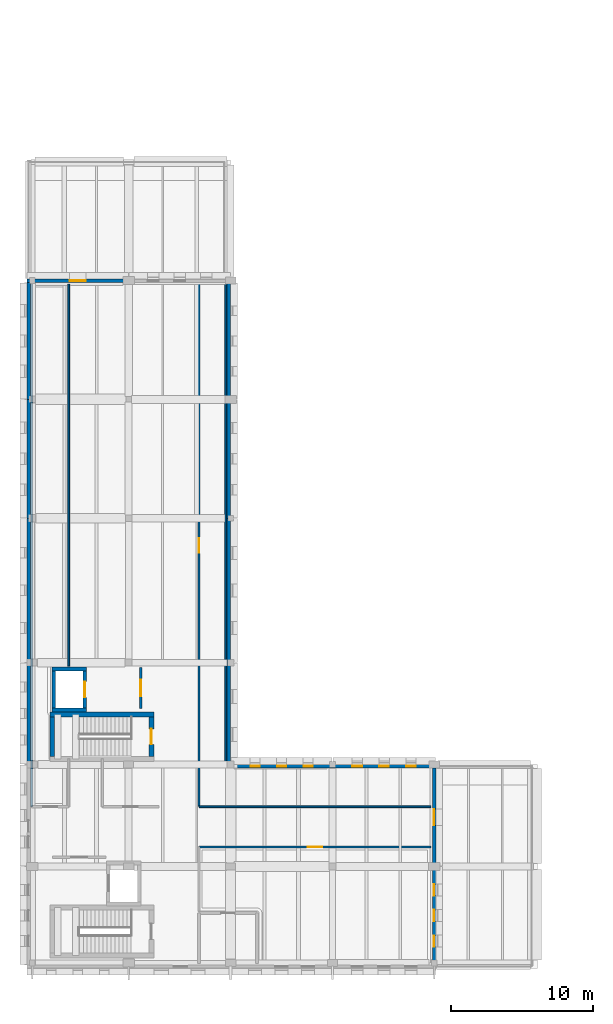
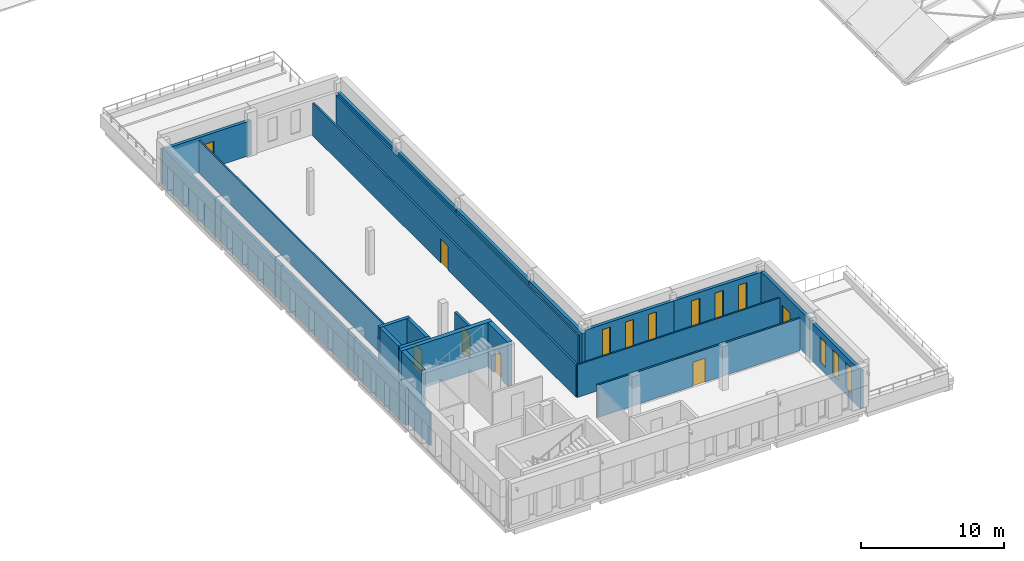
# One storey, part 10 of 15: 27 walls, 9 windows, 7 doors, 16 openings.
"""IFC4 building model written with IfcOpenShell, lengths in metres."""

from ifc_helpers import new_model, si_unit, direction, frame, frame_2d, origin, place, context, subcontext, project, spatial, rectangle, extrude, material, layer, layer_set, type_object, element, fill, save


model = new_model("IFC4")

# Units and contexts
model_context = context("Model", 3, precision=1e-05, world=origin(), true_north=direction((0.0, 1.0)))
body_context = subcontext(model_context, "Body", "Model", "MODEL_VIEW")
ifc_project = project(units=[si_unit("LENGTHUNIT", "METRE"), si_unit("AREAUNIT", "SQUARE_METRE"), si_unit("VOLUMEUNIT", "CUBIC_METRE"), si_unit("PLANEANGLEUNIT", "RADIAN"), si_unit("MASSUNIT", "GRAM", prefix="KILO")], contexts=[model_context])

# Site, building, storey
site_placement = place(None, origin())
site = spatial("IfcSite", under=ifc_project, at=site_placement, CompositionType="ELEMENT")
building_placement = place(site_placement, origin())
building = spatial("IfcBuilding", under=site, at=building_placement, Name="Vardoun Plaza Health Centre", CompositionType="ELEMENT")
storey_placement = place(building_placement, frame((0.0, 0.0, 17.10009765625)))
storey = spatial("IfcBuildingStorey", under=building, at=storey_placement, Name="L04", CompositionType="ELEMENT", Elevation=17.10009765625)

# Walls
ifc_material_1 = material(Name="Concrete C40/50", Category="concrete")
ifc_layer_1 = layer(ifc_material_1, 0.27001953125)
ifc_layer_set_1 = layer_set([ifc_layer_1], Name="Concrete C40/50")
wall_type_1 = type_object("IfcWallType", Name="SW-03", PredefinedType="SHEAR", material=ifc_layer_set_1)
wall_1_placement = place(storey_placement, frame((8.735107421875, 22.75, 0.0), z_axis=(0.0, 0.0, 1.0), x_axis=(-1.0, 0.0, 0.0)))
element("IfcWall", 1, at=wall_1_placement, inside=storey, type_object=wall_type_1, Name="Lift LF-02 L04 Shaft Wall S", PredefinedType="SHEAR", context=body_context, shape_type="SweptSolid", body=[
    extrude(rectangle(XDim=2.47021484375, YDim=0.27001953125, at=frame_2d((1.235107421875, 0.0))), origin(), (0.0, 0.0, 1.0), 3.77001953125),
])
wall_2_placement = place(storey_placement, frame((6.39990234375, 22.885009765625, 0.0), z_axis=(0.0, 0.0, 1.0), x_axis=(0.0, 1.0, 0.0)))
element("IfcWall", 2, at=wall_2_placement, inside=storey, type_object=wall_type_1, Name="Lift LF-02 L04 Shaft Wall W", PredefinedType="SHEAR", context=body_context, shape_type="SweptSolid", body=[
    extrude(rectangle(XDim=2.6298828125, YDim=0.27001953125, at=frame_2d((1.31494140625, 0.0))), origin(), (0.0, 0.0, 1.0), 3.77001953125),
])
wall_3_placement = place(storey_placement, frame((6.264892578125, 25.64990234375, 0.0), z_axis=(0.0, 0.0, 1.0), x_axis=(1.0, 0.0, 0.0)))
element("IfcWall", 3, at=wall_3_placement, inside=storey, type_object=wall_type_1, Name="Lift LF-02 L04 Shaft Wall N", PredefinedType="SHEAR", context=body_context, shape_type="SweptSolid", body=[
    extrude(rectangle(XDim=2.47021484375, YDim=0.27001953125, at=frame_2d((1.235107421875, 0.0))), origin(), (0.0, 0.0, 1.0), 3.77001953125),
])

# Wall, opening, door
wall_4_placement = place(storey_placement, frame((8.60009765625, 25.514892578125, 0.0), z_axis=(0.0, 0.0, 1.0), x_axis=(0.0, -1.0, 0.0)))
wall_4 = element("IfcWall", 4, at=wall_4_placement, inside=storey, type_object=wall_type_1, Name="Lift LF-02 L04 Shaft Wall E", PredefinedType="SHEAR", context=body_context, shape_type="SweptSolid", body=[
    extrude(rectangle(XDim=2.6298828125, YDim=0.27001953125, at=frame_2d((1.31494140625, 0.0))), origin(), (0.0, 0.0, 1.0), 3.77001953125),
])
opening_1_placement = place(wall_4_placement, frame((0.7548828125, 0.0, 0.0)))
opening_1 = element("IfcOpeningElement", 5, at=opening_1_placement, cuts=wall_4, Name="Opening LD-LF-02-L04", PredefinedType="OPENING", context=body_context, shape_type="SweptSolid", body=[
    extrude(rectangle(XDim=1.1201171875, YDim=2.10009765625, at=frame_2d((0.56005859375, 1.050048828125))), frame((0.0, 0.135009765625, 0.0), z_axis=(0.0, -1.0, 0.0), x_axis=(1.0, 0.0, 0.0)), (0.0, 0.0, 1.0), 0.27001953125),
])
ifc_material_2 = material(Name="Brushed Stainless Steel Grade 316L", Category="steel")
door_type_1 = type_object("IfcDoorType", Name="LD-01", OperationType="DOUBLE_DOOR_SLIDING", PredefinedType="DOOR", material=ifc_material_2)
door_1_placement = place(opening_1_placement, origin())
door_1 = element("IfcDoor", 6, at=door_1_placement, inside=storey, type_object=door_type_1, Name="Lift LF-02 L04 Sliding Landing Door", OperationType="DOUBLE_DOOR_SLIDING", OverallHeight=2.10009765625, OverallWidth=1.1201171875, PredefinedType="DOOR", context=body_context, shape_type="SweptSolid", body=[
    extrude(rectangle(XDim=1.1201171875, YDim=2.10009765625, at=frame_2d((0.56005859375, 1.050048828125))), frame((0.0, 0.02490234375, 0.0), z_axis=(0.0, -1.0, 0.0), x_axis=(1.0, 0.0, 0.0)), (0.0, 0.0, 1.0), 0.050048828125),
])
fill(opening_1, door_1)

# Walls
ifc_material_3 = material(Name="Concrete C40/50", Category="concrete")
ifc_layer_2 = layer(ifc_material_3, 0.35009765625)
ifc_layer_set_2 = layer_set([ifc_layer_2], Name="Concrete C40/50")
wall_type_2 = type_object("IfcWallType", Name="SW-02", PredefinedType="SHEAR", material=ifc_layer_set_2)
wall_5_placement = place(storey_placement, frame((6.300048828125, 19.47509765625, 0.0), z_axis=(0.0, 0.0, 1.0), x_axis=(0.0, 1.0, 0.0)))
element("IfcWall", 7, at=wall_5_placement, inside=storey, type_object=wall_type_2, Name="Core C2 L04 Shear Wall W", PredefinedType="SHEAR", context=body_context, shape_type="SweptSolid", body=[
    extrude(rectangle(XDim=2.7998046875, YDim=0.35009765625, at=frame_2d((1.39990234375, 0.0))), origin(), (0.0, 0.0, 1.0), 3.77001953125),
])
wall_6_placement = place(storey_placement, frame((6.125, 22.449951171875, 0.0), z_axis=(0.0, 0.0, 1.0), x_axis=(1.0, 0.0, 0.0)))
element("IfcWall", 8, at=wall_6_placement, inside=storey, type_object=wall_type_2, Name="Core C2 L04 Shear Wall N", PredefinedType="SHEAR", context=body_context, shape_type="SweptSolid", body=[
    extrude(rectangle(XDim=7.35009765625, YDim=0.35009765625, at=frame_2d((3.675048828125, 0.0))), origin(), (0.0, 0.0, 1.0), 3.77001953125),
])

# Wall, opening, door
wall_7_placement = place(storey_placement, frame((13.300048828125, 22.27490234375, 0.0), z_axis=(0.0, 0.0, 1.0), x_axis=(0.0, -1.0, 0.0)))
wall_7 = element("IfcWall", 9, at=wall_7_placement, inside=storey, type_object=wall_type_2, Name="Core C2 L04 Shear Wall E", PredefinedType="SHEAR", context=body_context, shape_type="SweptSolid", body=[
    extrude(rectangle(XDim=2.7998046875, YDim=0.35009765625, at=frame_2d((1.39990234375, 0.0))), origin(), (0.0, 0.0, 1.0), 3.77001953125),
])
opening_2_placement = place(wall_7_placement, frame((0.85009765625, 0.0, 0.0)))
opening_2 = element("IfcOpeningElement", 10, at=opening_2_placement, cuts=wall_7, Name="Opening SD-C2-L04", PredefinedType="OPENING", context=body_context, shape_type="SweptSolid", body=[
    extrude(rectangle(XDim=1.10009765625, YDim=2.050048828125, at=frame_2d((0.550048828125, 1.02490234375))), frame((0.0, 0.175048828125, 0.0), z_axis=(0.0, -1.0, 0.0), x_axis=(1.0, 0.0, 0.0)), (0.0, 0.0, 1.0), 0.35009765625),
])
ifc_material_4 = material(Name="Brushed Stainless Steel Grade 316L", Category="steel")
door_type_2 = type_object("IfcDoorType", Name="FD-01", OperationType="NOTDEFINED", PredefinedType="DOOR", material=ifc_material_4)
door_2_placement = place(opening_2_placement, origin())
door_2 = element("IfcDoor", 11, at=door_2_placement, inside=storey, type_object=door_type_2, Name="Stair C2 L04 Fire Door", OperationType="SINGLE_SWING_LEFT", OverallHeight=2.050048828125, OverallWidth=1.10009765625, PredefinedType="DOOR", context=body_context, shape_type="SweptSolid", body=[
    extrude(rectangle(XDim=1.10009765625, YDim=2.050048828125, at=frame_2d((0.550048828125, 1.02490234375))), frame((0.0, 0.02490234375, 0.0), z_axis=(0.0, -1.0, 0.0), x_axis=(1.0, 0.0, 0.0)), (0.0, 0.0, 1.0), 0.050048828125),
])
fill(opening_2, door_2)

ifc_material_5 = material(Name="Pale Limestone Concrete C35/45", Category="masonry")
ifc_layer_3 = layer(ifc_material_5, 0.25)
ifc_layer_set_3 = layer_set([ifc_layer_3], Name="Pale Limestone Concrete C35/45")
wall_type_3 = type_object("IfcWallType", Name="EW-07", PredefinedType="STANDARD", material=ifc_layer_set_3)
wall_8_placement = place(storey_placement, frame((4.5, 53.074951171875, 0.0), z_axis=(0.0, 0.0, 1.0), x_axis=(1.0, 0.0, 0.0)))
wall_8 = element("IfcWall", 12, at=wall_8_placement, inside=storey, type_object=wall_type_3, Name="V2 L04 Exterior Wall EW-V2-178", PredefinedType="STANDARD", context=body_context, shape_type="SweptSolid", body=[
    extrude(rectangle(XDim=7.199951171875, YDim=0.25, at=frame_2d((3.60009765625, 0.0))), origin(), (0.0, 0.0, 1.0), 2.954833984375),
])
opening_3_placement = place(wall_8_placement, frame((3.02490234375, 0.0, 0.18994140625)))
opening_3 = element("IfcOpeningElement", 13, at=opening_3_placement, cuts=wall_8, Name="Opening TD-V2-L04-1", PredefinedType="OPENING", context=body_context, shape_type="SweptSolid", body=[
    extrude(rectangle(XDim=1.14990234375, YDim=2.02001953125, at=frame_2d((0.574951171875, 1.010009765625))), frame((0.0, 0.125, 0.0), z_axis=(0.0, -1.0, 0.0), x_axis=(1.0, 0.0, 0.0)), (0.0, 0.0, 1.0), 0.25),
])
ifc_material_6 = material(Name="Aluminium Alloy EN AW-6063-T6 Terrace Door", Category="aluminium")
door_type_3 = type_object("IfcDoorType", Name="ED-04", OperationType="NOTDEFINED", PredefinedType="DOOR", material=ifc_material_6)
door_3_placement = place(opening_3_placement, origin())
door_3 = element("IfcDoor", 14, at=door_3_placement, inside=storey, type_object=door_type_3, Name="V2 L04 Roof-Garden Terrace Door 1", OperationType="SINGLE_SWING_RIGHT", OverallHeight=2.02001953125, OverallWidth=1.14990234375, PredefinedType="DOOR", context=body_context, shape_type="SweptSolid", body=[
    extrude(rectangle(XDim=1.14990234375, YDim=2.02001953125, at=frame_2d((0.574951171875, 1.010009765625))), frame((0.0, 0.02490234375, 0.0), z_axis=(0.0, -1.0, 0.0), x_axis=(1.0, 0.0, 0.0)), (0.0, 0.0, 1.0), 0.050048828125),
])
fill(opening_3, door_3)

# Walls
wall_9_placement = place(storey_placement, frame((18.77490234375, 52.949951171875, 0.0), z_axis=(0.0, 0.0, 1.0), x_axis=(0.0, -1.0, 0.0)))
element("IfcWall", 15, at=wall_9_placement, inside=storey, type_object=wall_type_3, Name="V2 L04 Exterior Wall EW-V2-180", PredefinedType="STANDARD", context=body_context, shape_type="SweptSolid", body=[
    extrude(rectangle(XDim=8.25, YDim=0.25, at=frame_2d((4.125, 0.0))), origin(), (0.0, 0.0, 1.0), 2.954833984375),
])
wall_10_placement = place(storey_placement, frame((18.77490234375, 44.699951171875, 0.0), z_axis=(0.0, 0.0, 1.0), x_axis=(0.0, -1.0, 0.0)))
element("IfcWall", 16, at=wall_10_placement, inside=storey, type_object=wall_type_3, Name="V2 L04 Exterior Wall EW-V2-181", PredefinedType="STANDARD", context=body_context, shape_type="SweptSolid", body=[
    extrude(rectangle(XDim=8.39990234375, YDim=0.25, at=frame_2d((4.199951171875, 0.0))), origin(), (0.0, 0.0, 1.0), 2.954833984375),
])
wall_11_placement = place(storey_placement, frame((18.77490234375, 36.300048828125, 0.0), z_axis=(0.0, 0.0, 1.0), x_axis=(0.0, -1.0, 0.0)))
element("IfcWall", 17, at=wall_11_placement, inside=storey, type_object=wall_type_3, Name="V2 L04 Exterior Wall EW-V2-182", PredefinedType="STANDARD", context=body_context, shape_type="SweptSolid", body=[
    extrude(rectangle(XDim=10.199951171875, YDim=0.25, at=frame_2d((5.10009765625, 0.0))), origin(), (0.0, 0.0, 1.0), 3.034912109375),
])
wall_12_placement = place(storey_placement, frame((18.77490234375, 26.10009765625, 0.0), z_axis=(0.0, 0.0, 1.0), x_axis=(0.0, -1.0, 0.0)))
element("IfcWall", 18, at=wall_12_placement, inside=storey, type_object=wall_type_3, Name="V2 L04 Exterior Wall EW-V2-183", PredefinedType="STANDARD", context=body_context, shape_type="SweptSolid", body=[
    extrude(rectangle(XDim=7.4501953125, YDim=0.25, at=frame_2d((3.72509765625, 0.0))), origin(), (0.0, 0.0, 1.0), 3.10498046875),
])

# Wall, openings, windows
wall_13_placement = place(storey_placement, frame((18.89990234375, 18.77490234375, 0.0), z_axis=(0.0, 0.0, 1.0), x_axis=(1.0, 0.0, 0.0)))
wall_13 = element("IfcWall", 19, at=wall_13_placement, inside=storey, type_object=wall_type_3, Name="V2 L04 Exterior Wall EW-V2-184", PredefinedType="STANDARD", context=body_context, shape_type="SweptSolid", body=[
    extrude(rectangle(XDim=7.2001953125, YDim=0.25, at=frame_2d((3.60009765625, 0.0))), origin(), (0.0, 0.0, 1.0), 3.27490234375),
])
opening_4_placement = place(wall_13_placement, frame((1.407958984375, 0.0, 0.550048828125)))
opening_4 = element("IfcOpeningElement", 20, at=opening_4_placement, cuts=wall_13, Name="Opening W-12-003", PredefinedType="OPENING", context=body_context, shape_type="SweptSolid", body=[
    extrude(rectangle(XDim=0.639892578125, YDim=2.280029296875, at=frame_2d((0.31982421875, 1.14013671875))), frame((0.0, 0.125, 0.0), z_axis=(0.0, -1.0, 0.0), x_axis=(1.0, 0.0, 0.0)), (0.0, 0.0, 1.0), 0.25),
])
opening_5_placement = place(wall_13_placement, frame((3.280029296875, 0.0, 0.550048828125)))
opening_5 = element("IfcOpeningElement", 21, at=opening_5_placement, cuts=wall_13, Name="Opening W-12-004", PredefinedType="OPENING", context=body_context, shape_type="SweptSolid", body=[
    extrude(rectangle(XDim=0.639892578125, YDim=2.280029296875, at=frame_2d((0.31982421875, 1.14013671875))), frame((0.0, 0.125, 0.0), z_axis=(0.0, -1.0, 0.0), x_axis=(1.0, 0.0, 0.0)), (0.0, 0.0, 1.0), 0.25),
])
opening_6_placement = place(wall_13_placement, frame((5.152099609375, 0.0, 0.550048828125)))
opening_6 = element("IfcOpeningElement", 22, at=opening_6_placement, cuts=wall_13, Name="Opening W-12-005", PredefinedType="OPENING", context=body_context, shape_type="SweptSolid", body=[
    extrude(rectangle(XDim=0.639892578125, YDim=2.280029296875, at=frame_2d((0.31982421875, 1.14013671875))), frame((0.0, 0.125, 0.0), z_axis=(0.0, -1.0, 0.0), x_axis=(1.0, 0.0, 0.0)), (0.0, 0.0, 1.0), 0.25),
])
ifc_material_7 = material(Name="Aluminium Alloy EN AW-6063-T6 and Low-E Glass", Category="aluminium")
window_type_1 = type_object("IfcWindowType", Name="W-12", PartitioningType="SINGLE_PANEL", PredefinedType="WINDOW", material=ifc_material_7)
window_1_placement = place(opening_4_placement, origin())
window_1 = element("IfcWindow", 23, at=window_1_placement, inside=storey, type_object=window_type_1, Name="V2 L04 Deep-Punched Slot Window W-12-256", OverallHeight=2.280029296875, OverallWidth=0.639892578125, PartitioningType="SINGLE_PANEL", PredefinedType="WINDOW", context=body_context, shape_type="SweptSolid", body=[
    extrude(rectangle(XDim=0.639892578125, YDim=2.280029296875, at=frame_2d((0.31982421875, 1.14013671875))), frame((0.0, 0.030029296875, 0.0), z_axis=(0.0, -1.0, 0.0), x_axis=(1.0, 0.0, 0.0)), (0.0, 0.0, 1.0), 0.06005859375),
])
fill(opening_4, window_1)
window_2_placement = place(opening_5_placement, origin())
window_2 = element("IfcWindow", 24, at=window_2_placement, inside=storey, type_object=window_type_1, Name="V2 L04 Deep-Punched Slot Window W-12-257", OverallHeight=2.280029296875, OverallWidth=0.639892578125, PartitioningType="SINGLE_PANEL", PredefinedType="WINDOW", context=body_context, shape_type="SweptSolid", body=[
    extrude(rectangle(XDim=0.639892578125, YDim=2.280029296875, at=frame_2d((0.31982421875, 1.14013671875))), frame((0.0, 0.030029296875, 0.0), z_axis=(0.0, -1.0, 0.0), x_axis=(1.0, 0.0, 0.0)), (0.0, 0.0, 1.0), 0.06005859375),
])
fill(opening_5, window_2)
window_3_placement = place(opening_6_placement, origin())
window_3 = element("IfcWindow", 25, at=window_3_placement, inside=storey, type_object=window_type_1, Name="V2 L04 Deep-Punched Slot Window W-12-258", OverallHeight=2.280029296875, OverallWidth=0.639892578125, PartitioningType="SINGLE_PANEL", PredefinedType="WINDOW", context=body_context, shape_type="SweptSolid", body=[
    extrude(rectangle(XDim=0.639892578125, YDim=2.280029296875, at=frame_2d((0.31982421875, 1.14013671875))), frame((0.0, 0.030029296875, 0.0), z_axis=(0.0, -1.0, 0.0), x_axis=(1.0, 0.0, 0.0)), (0.0, 0.0, 1.0), 0.06005859375),
])
fill(opening_6, window_3)

wall_14_placement = place(storey_placement, frame((26.10009765625, 18.77490234375, 0.0), z_axis=(0.0, 0.0, 1.0), x_axis=(1.0, 0.0, 0.0)))
wall_14 = element("IfcWall", 26, at=wall_14_placement, inside=storey, type_object=wall_type_3, Name="V2 L04 Exterior Wall EW-V2-185", PredefinedType="STANDARD", context=body_context, shape_type="SweptSolid", body=[
    extrude(rectangle(XDim=7.2998046875, YDim=0.25, at=frame_2d((3.64990234375, 0.0))), origin(), (0.0, 0.0, 1.0), 3.27490234375),
])
opening_7_placement = place(wall_14_placement, frame((1.412109375, 0.0, 0.550048828125)))
opening_7 = element("IfcOpeningElement", 27, at=opening_7_placement, cuts=wall_14, Name="Opening W-13-003", PredefinedType="OPENING", context=body_context, shape_type="SweptSolid", body=[
    extrude(rectangle(XDim=0.679931640625, YDim=2.219970703125, at=frame_2d((0.33984375, 1.10986328125))), frame((0.0, 0.125, 0.0), z_axis=(0.0, -1.0, 0.0), x_axis=(1.0, 0.0, 0.0)), (0.0, 0.0, 1.0), 0.25),
])
opening_8_placement = place(wall_14_placement, frame((3.31005859375, 0.0, 0.550048828125)))
opening_8 = element("IfcOpeningElement", 28, at=opening_8_placement, cuts=wall_14, Name="Opening W-13-004", PredefinedType="OPENING", context=body_context, shape_type="SweptSolid", body=[
    extrude(rectangle(XDim=0.679931640625, YDim=2.219970703125, at=frame_2d((0.33984375, 1.10986328125))), frame((0.0, 0.125, 0.0), z_axis=(0.0, -1.0, 0.0), x_axis=(1.0, 0.0, 0.0)), (0.0, 0.0, 1.0), 0.25),
])
opening_9_placement = place(wall_14_placement, frame((5.2080078125, 0.0, 0.550048828125)))
opening_9 = element("IfcOpeningElement", 29, at=opening_9_placement, cuts=wall_14, Name="Opening W-13-005", PredefinedType="OPENING", context=body_context, shape_type="SweptSolid", body=[
    extrude(rectangle(XDim=0.679931640625, YDim=2.219970703125, at=frame_2d((0.33984375, 1.10986328125))), frame((0.0, 0.125, 0.0), z_axis=(0.0, -1.0, 0.0), x_axis=(1.0, 0.0, 0.0)), (0.0, 0.0, 1.0), 0.25),
])
ifc_material_8 = material(Name="Aluminium Alloy EN AW-6063-T6 and Low-E Glass", Category="aluminium")
window_type_2 = type_object("IfcWindowType", Name="W-13", PartitioningType="SINGLE_PANEL", PredefinedType="WINDOW", material=ifc_material_8)
window_4_placement = place(opening_7_placement, origin())
window_4 = element("IfcWindow", 30, at=window_4_placement, inside=storey, type_object=window_type_2, Name="V2 L04 Deep-Punched Slot Window W-13-259", OverallHeight=2.219970703125, OverallWidth=0.679931640625, PartitioningType="SINGLE_PANEL", PredefinedType="WINDOW", context=body_context, shape_type="SweptSolid", body=[
    extrude(rectangle(XDim=0.679931640625, YDim=2.219970703125, at=frame_2d((0.33984375, 1.10986328125))), frame((0.0, 0.030029296875, 0.0), z_axis=(0.0, -1.0, 0.0), x_axis=(1.0, 0.0, 0.0)), (0.0, 0.0, 1.0), 0.06005859375),
])
fill(opening_7, window_4)
window_5_placement = place(opening_8_placement, origin())
window_5 = element("IfcWindow", 31, at=window_5_placement, inside=storey, type_object=window_type_2, Name="V2 L04 Deep-Punched Slot Window W-13-260", OverallHeight=2.219970703125, OverallWidth=0.679931640625, PartitioningType="SINGLE_PANEL", PredefinedType="WINDOW", context=body_context, shape_type="SweptSolid", body=[
    extrude(rectangle(XDim=0.679931640625, YDim=2.219970703125, at=frame_2d((0.33984375, 1.10986328125))), frame((0.0, 0.030029296875, 0.0), z_axis=(0.0, -1.0, 0.0), x_axis=(1.0, 0.0, 0.0)), (0.0, 0.0, 1.0), 0.06005859375),
])
fill(opening_8, window_5)
window_6_placement = place(opening_9_placement, origin())
window_6 = element("IfcWindow", 32, at=window_6_placement, inside=storey, type_object=window_type_2, Name="V2 L04 Deep-Punched Slot Window W-13-261", OverallHeight=2.219970703125, OverallWidth=0.679931640625, PartitioningType="SINGLE_PANEL", PredefinedType="WINDOW", context=body_context, shape_type="SweptSolid", body=[
    extrude(rectangle(XDim=0.679931640625, YDim=2.219970703125, at=frame_2d((0.33984375, 1.10986328125))), frame((0.0, 0.030029296875, 0.0), z_axis=(0.0, -1.0, 0.0), x_axis=(1.0, 0.0, 0.0)), (0.0, 0.0, 1.0), 0.06005859375),
])
fill(opening_9, window_6)

# Wall, opening, door
wall_15_placement = place(storey_placement, frame((33.27490234375, 18.64990234375, 0.0), z_axis=(0.0, 0.0, 1.0), x_axis=(0.0, -1.0, 0.0)))
wall_15 = element("IfcWall", 33, at=wall_15_placement, inside=storey, type_object=wall_type_3, Name="V2 L04 Exterior Wall EW-V2-186", PredefinedType="STANDARD", context=body_context, shape_type="SweptSolid", body=[
    extrude(rectangle(XDim=6.949951171875, YDim=0.25, at=frame_2d((3.47509765625, 0.0))), origin(), (0.0, 0.0, 1.0), 3.304931640625),
])
opening_10_placement = place(wall_15_placement, frame((2.89990234375, 0.0, 0.18994140625)))
opening_10 = element("IfcOpeningElement", 34, at=opening_10_placement, cuts=wall_15, Name="Opening TD-V2-L04-2", PredefinedType="OPENING", context=body_context, shape_type="SweptSolid", body=[
    extrude(rectangle(XDim=1.14990234375, YDim=2.02001953125, at=frame_2d((0.574951171875, 1.010009765625))), frame((0.0, 0.125, 0.0), z_axis=(0.0, -1.0, 0.0), x_axis=(1.0, 0.0, 0.0)), (0.0, 0.0, 1.0), 0.25),
])
door_4_placement = place(opening_10_placement, origin())
door_4 = element("IfcDoor", 35, at=door_4_placement, inside=storey, type_object=door_type_3, Name="V2 L04 Roof-Garden Terrace Door 2", OperationType="SINGLE_SWING_LEFT", OverallHeight=2.02001953125, OverallWidth=1.14990234375, PredefinedType="DOOR", context=body_context, shape_type="SweptSolid", body=[
    extrude(rectangle(XDim=1.14990234375, YDim=2.02001953125, at=frame_2d((0.574951171875, 1.010009765625))), frame((0.0, 0.02490234375, 0.0), z_axis=(0.0, -1.0, 0.0), x_axis=(1.0, 0.0, 0.0)), (0.0, 0.0, 1.0), 0.050048828125),
])
fill(opening_10, door_4)

# Wall, openings, windows
wall_16_placement = place(storey_placement, frame((33.27490234375, 11.699951171875, 0.0), z_axis=(0.0, 0.0, 1.0), x_axis=(0.0, -1.0, 0.0)))
wall_16 = element("IfcWall", 36, at=wall_16_placement, inside=storey, type_object=wall_type_3, Name="V2 L04 Exterior Wall EW-V2-187", PredefinedType="STANDARD", context=body_context, shape_type="SweptSolid", body=[
    extrude(rectangle(XDim=6.949951171875, YDim=0.25, at=frame_2d((3.47509765625, 0.0))), origin(), (0.0, 0.0, 1.0), 3.2548828125),
])
opening_11_placement = place(wall_16_placement, frame((1.26806640625, 0.0, 0.550048828125)))
opening_11 = element("IfcOpeningElement", 37, at=opening_11_placement, cuts=wall_16, Name="Opening W-16-001", PredefinedType="OPENING", context=body_context, shape_type="SweptSolid", body=[
    extrude(rectangle(XDim=0.800048828125, YDim=2.159912109375, at=frame_2d((0.39990234375, 1.080078125))), frame((0.0, 0.125, 0.0), z_axis=(0.0, -1.0, 0.0), x_axis=(1.0, 0.0, 0.0)), (0.0, 0.0, 1.0), 0.25),
])
opening_12_placement = place(wall_16_placement, frame((3.074951171875, 0.0, 0.550048828125)))
opening_12 = element("IfcOpeningElement", 38, at=opening_12_placement, cuts=wall_16, Name="Opening W-16-002", PredefinedType="OPENING", context=body_context, shape_type="SweptSolid", body=[
    extrude(rectangle(XDim=0.800048828125, YDim=2.159912109375, at=frame_2d((0.39990234375, 1.080078125))), frame((0.0, 0.125, 0.0), z_axis=(0.0, -1.0, 0.0), x_axis=(1.0, 0.0, 0.0)), (0.0, 0.0, 1.0), 0.25),
])
opening_13_placement = place(wall_16_placement, frame((4.882080078125, 0.0, 0.550048828125)))
opening_13 = element("IfcOpeningElement", 39, at=opening_13_placement, cuts=wall_16, Name="Opening W-16-003", PredefinedType="OPENING", context=body_context, shape_type="SweptSolid", body=[
    extrude(rectangle(XDim=0.800048828125, YDim=2.159912109375, at=frame_2d((0.39990234375, 1.080078125))), frame((0.0, 0.125, 0.0), z_axis=(0.0, -1.0, 0.0), x_axis=(1.0, 0.0, 0.0)), (0.0, 0.0, 1.0), 0.25),
])
ifc_material_9 = material(Name="Aluminium Alloy EN AW-6063-T6 and Low-E Glass", Category="aluminium")
window_type_3 = type_object("IfcWindowType", Name="W-16", PartitioningType="SINGLE_PANEL", PredefinedType="WINDOW", material=ifc_material_9)
window_7_placement = place(opening_11_placement, origin())
window_7 = element("IfcWindow", 40, at=window_7_placement, inside=storey, type_object=window_type_3, Name="V2 L04 Deep-Punched Slot Window W-16-262", OverallHeight=2.159912109375, OverallWidth=0.800048828125, PartitioningType="SINGLE_PANEL", PredefinedType="WINDOW", context=body_context, shape_type="SweptSolid", body=[
    extrude(rectangle(XDim=0.800048828125, YDim=2.159912109375, at=frame_2d((0.39990234375, 1.080078125))), frame((0.0, 0.030029296875, 0.0), z_axis=(0.0, -1.0, 0.0), x_axis=(1.0, 0.0, 0.0)), (0.0, 0.0, 1.0), 0.06005859375),
])
fill(opening_11, window_7)
window_8_placement = place(opening_12_placement, origin())
window_8 = element("IfcWindow", 41, at=window_8_placement, inside=storey, type_object=window_type_3, Name="V2 L04 Deep-Punched Slot Window W-16-263", OverallHeight=2.159912109375, OverallWidth=0.800048828125, PartitioningType="SINGLE_PANEL", PredefinedType="WINDOW", context=body_context, shape_type="SweptSolid", body=[
    extrude(rectangle(XDim=0.800048828125, YDim=2.159912109375, at=frame_2d((0.39990234375, 1.080078125))), frame((0.0, 0.030029296875, 0.0), z_axis=(0.0, -1.0, 0.0), x_axis=(1.0, 0.0, 0.0)), (0.0, 0.0, 1.0), 0.06005859375),
])
fill(opening_12, window_8)
window_9_placement = place(opening_13_placement, origin())
window_9 = element("IfcWindow", 42, at=window_9_placement, inside=storey, type_object=window_type_3, Name="V2 L04 Deep-Punched Slot Window W-16-264", OverallHeight=2.159912109375, OverallWidth=0.800048828125, PartitioningType="SINGLE_PANEL", PredefinedType="WINDOW", context=body_context, shape_type="SweptSolid", body=[
    extrude(rectangle(XDim=0.800048828125, YDim=2.159912109375, at=frame_2d((0.39990234375, 1.080078125))), frame((0.0, 0.030029296875, 0.0), z_axis=(0.0, -1.0, 0.0), x_axis=(1.0, 0.0, 0.0)), (0.0, 0.0, 1.0), 0.06005859375),
])
fill(opening_13, window_9)

# Walls
wall_17_placement = place(storey_placement, frame((4.625, 18.89990234375, 0.0), z_axis=(0.0, 0.0, 1.0), x_axis=(0.0, 1.0, 0.0)))
element("IfcWall", 43, at=wall_17_placement, inside=storey, type_object=wall_type_3, Name="V2 L04 Exterior Wall EW-V2-194", PredefinedType="STANDARD", context=body_context, shape_type="SweptSolid", body=[
    extrude(rectangle(XDim=7.2001953125, YDim=0.25, at=frame_2d((3.60009765625, 0.0))), origin(), (0.0, 0.0, 1.0), 3.135009765625),
])
wall_18_placement = place(storey_placement, frame((4.625, 26.10009765625, 0.0), z_axis=(0.0, 0.0, 1.0), x_axis=(0.0, 1.0, 0.0)))
element("IfcWall", 44, at=wall_18_placement, inside=storey, type_object=wall_type_3, Name="V2 L04 Exterior Wall EW-V2-195", PredefinedType="STANDARD", context=body_context, shape_type="SweptSolid", body=[
    extrude(rectangle(XDim=10.199951171875, YDim=0.25, at=frame_2d((5.10009765625, 0.0))), origin(), (0.0, 0.0, 1.0), 3.135009765625),
])
wall_19_placement = place(storey_placement, frame((4.625, 36.300048828125, 0.0), z_axis=(0.0, 0.0, 1.0), x_axis=(0.0, 1.0, 0.0)))
element("IfcWall", 45, at=wall_19_placement, inside=storey, type_object=wall_type_3, Name="V2 L04 Exterior Wall EW-V2-196", PredefinedType="STANDARD", context=body_context, shape_type="SweptSolid", body=[
    extrude(rectangle(XDim=8.39990234375, YDim=0.25, at=frame_2d((4.199951171875, 0.0))), origin(), (0.0, 0.0, 1.0), 3.135009765625),
])
wall_20_placement = place(storey_placement, frame((4.625, 44.699951171875, 0.0), z_axis=(0.0, 0.0, 1.0), x_axis=(0.0, 1.0, 0.0)))
element("IfcWall", 46, at=wall_20_placement, inside=storey, type_object=wall_type_3, Name="V2 L04 Exterior Wall EW-V2-197", PredefinedType="STANDARD", context=body_context, shape_type="SweptSolid", body=[
    extrude(rectangle(XDim=8.25, YDim=0.25, at=frame_2d((4.125, 0.0))), origin(), (0.0, 0.0, 1.0), 3.15478515625),
])

# Wall, opening, door
ifc_material_10 = material(Name="Acoustic Gypsum Twin-Stud", Category="steel")
ifc_layer_4 = layer(ifc_material_10, 0.14990234375)
ifc_layer_set_4 = layer_set([ifc_layer_4], Name="Acoustic Gypsum Twin-Stud")
wall_type_4 = type_object("IfcWallType", Name="IW-04", PredefinedType="PARTITIONING", material=ifc_layer_set_4)
wall_21_placement = place(storey_placement, frame((16.669921875, 13.080078125, 0.0), z_axis=(0.0, 0.0, 1.0), x_axis=(1.0, 0.0, 0.0)))
wall_21 = element("IfcWall", 47, at=wall_21_placement, inside=storey, type_object=wall_type_4, Name="Neurology Consulting Room 42 Partition Wall", PredefinedType="PARTITIONING", context=body_context, shape_type="SweptSolid", body=[
    extrude(rectangle(XDim=16.380126953125, YDim=0.14990234375, at=frame_2d((8.18994140625, 0.0))), origin(), (0.0, 0.0, 1.0), 2.789794921875),
])
opening_14_placement = place(wall_21_placement, frame((7.68994140625, 0.0, 0.0)))
opening_14 = element("IfcOpeningElement", 48, at=opening_14_placement, cuts=wall_21, Name="Opening D-L04-059", PredefinedType="OPENING", context=body_context, shape_type="SweptSolid", body=[
    extrude(rectangle(XDim=1.0, YDim=2.050048828125, at=frame_2d((0.5, 1.02490234375))), frame((0.0, 0.074951171875, 0.0), z_axis=(0.0, -1.0, 0.0), x_axis=(1.0, 0.0, 0.0)), (0.0, 0.0, 1.0), 0.14990234375),
])
ifc_material_11 = material(Name="Antimicrobial Acoustic Timber and Steel S275JR", Category="steel")
door_type_4 = type_object("IfcDoorType", Name="CD-03", OperationType="NOTDEFINED", PredefinedType="DOOR", material=ifc_material_11)
door_5_placement = place(opening_14_placement, origin())
door_5 = element("IfcDoor", 49, at=door_5_placement, inside=storey, type_object=door_type_4, Name="Neurology Consulting Room 42 Door D-L04-059", OperationType="SINGLE_SWING_LEFT", OverallHeight=2.050048828125, OverallWidth=1.0, PredefinedType="DOOR", context=body_context, shape_type="SweptSolid", body=[
    extrude(rectangle(XDim=1.0, YDim=2.050048828125, at=frame_2d((0.5, 1.02490234375))), frame((0.0, 0.02490234375, 0.0), z_axis=(0.0, -1.0, 0.0), x_axis=(1.0, 0.0, 0.0)), (0.0, 0.0, 1.0), 0.050048828125),
])
fill(opening_14, door_5)

wall_22_placement = place(storey_placement, frame((16.669921875, 15.919921875, 0.0), z_axis=(0.0, 0.0, 1.0), x_axis=(0.0, 1.0, 0.0)))
wall_22 = element("IfcWall", 50, at=wall_22_placement, inside=storey, type_object=wall_type_4, Name="Ophthalmology Vision Suite Partition Wall", PredefinedType="PARTITIONING", context=body_context, shape_type="SweptSolid", body=[
    extrude(rectangle(XDim=36.93017578125, YDim=0.14990234375, at=frame_2d((18.465087890625, 0.0))), origin(), (0.0, 0.0, 1.0), 2.789794921875),
])
opening_15_placement = place(wall_22_placement, frame((17.945068359375, 0.0, 0.0)))
opening_15 = element("IfcOpeningElement", 51, at=opening_15_placement, cuts=wall_22, Name="Opening D-L04-060", PredefinedType="OPENING", context=body_context, shape_type="SweptSolid", body=[
    extrude(rectangle(XDim=1.0400390625, YDim=2.050048828125, at=frame_2d((0.52001953125, 1.02490234375))), frame((0.0, 0.074951171875, 0.0), z_axis=(0.0, -1.0, 0.0), x_axis=(1.0, 0.0, 0.0)), (0.0, 0.0, 1.0), 0.14990234375),
])
ifc_material_12 = material(Name="Antimicrobial Acoustic Timber and Steel S275JR", Category="steel")
door_type_5 = type_object("IfcDoorType", Name="CD-04", OperationType="NOTDEFINED", PredefinedType="DOOR", material=ifc_material_12)
door_6_placement = place(opening_15_placement, origin())
door_6 = element("IfcDoor", 52, at=door_6_placement, inside=storey, type_object=door_type_5, Name="Ophthalmology Vision Suite Door D-L04-060", OperationType="SINGLE_SWING_RIGHT", OverallHeight=2.050048828125, OverallWidth=1.0400390625, PredefinedType="DOOR", context=body_context, shape_type="SweptSolid", body=[
    extrude(rectangle(XDim=1.0400390625, YDim=2.050048828125, at=frame_2d((0.52001953125, 1.02490234375))), frame((0.0, 0.02490234375, 0.0), z_axis=(0.0, -1.0, 0.0), x_axis=(1.0, 0.0, 0.0)), (0.0, 0.0, 1.0), 0.050048828125),
])
fill(opening_15, door_6)

# Walls
ifc_material_13 = material(Name="Standard Clinical Sub-Partition", Category="steel")
ifc_layer_5 = layer(ifc_material_13, 0.125)
ifc_layer_set_5 = layer_set([ifc_layer_5], Name="Standard Clinical Sub-Partition")
wall_type_5 = type_object("IfcWallType", Name="IW-11", PredefinedType="PARTITIONING", material=ifc_layer_set_5)
wall_23_placement = place(storey_placement, frame((18.550048828125, 52.85009765625, 0.0), z_axis=(0.0, 0.0, 1.0), x_axis=(0.0, -1.0, 0.0)))
element("IfcWall", 53, at=wall_23_placement, inside=storey, type_object=wall_type_5, Name="Ophthalmology Vision Suite Enclosure Partition", PredefinedType="PARTITIONING", context=body_context, shape_type="SweptSolid", body=[
    extrude(rectangle(XDim=33.9501953125, YDim=0.125, at=frame_2d((16.97509765625, 0.0))), origin(), (0.0, 0.0, 1.0), 2.789794921875),
])
wall_24_placement = place(storey_placement, frame((33.050048828125, 15.919921875, 0.0), z_axis=(0.0, 0.0, 1.0), x_axis=(-1.0, 0.0, 0.0)))
element("IfcWall", 54, at=wall_24_placement, inside=storey, type_object=wall_type_5, Name="Ophthalmology Vision Suite Enclosure Partition", PredefinedType="PARTITIONING", context=body_context, shape_type="SweptSolid", body=[
    extrude(rectangle(XDim=16.380126953125, YDim=0.125, at=frame_2d((8.18994140625, 0.0))), origin(), (0.0, 0.0, 1.0), 2.789794921875),
])
wall_25_placement = place(storey_placement, frame((7.4599609375, 52.85009765625, 0.0), z_axis=(0.0, 0.0, 1.0), x_axis=(0.0, -1.0, 0.0)))
element("IfcWall", 55, at=wall_25_placement, inside=storey, type_object=wall_type_5, Name="Terrace Waiting Lounge L04 Enclosure Partition", PredefinedType="PARTITIONING", context=body_context, shape_type="SweptSolid", body=[
    extrude(rectangle(XDim=27.0, YDim=0.125, at=frame_2d((13.5, 0.0))), origin(), (0.0, 0.0, 1.0), 2.789794921875),
])
wall_26_placement = place(storey_placement, frame((4.85009765625, 15.919921875, 0.0), z_axis=(0.0, 0.0, 1.0), x_axis=(0.0, 1.0, 0.0)))
element("IfcWall", 56, at=wall_26_placement, inside=storey, type_object=wall_type_5, Name="Terrace Waiting Lounge L04 Enclosure Partition", PredefinedType="PARTITIONING", context=body_context, shape_type="SweptSolid", body=[
    extrude(rectangle(XDim=36.93017578125, YDim=0.125, at=frame_2d((18.465087890625, 0.0))), origin(), (0.0, 0.0, 1.0), 2.789794921875),
])

# Wall, opening, door
ifc_material_14 = material(Name="Concrete C35/45", Category="concrete")
ifc_layer_6 = layer(ifc_material_14, 0.199951171875)
ifc_layer_set_6 = layer_set([ifc_layer_6], Name="Concrete C35/45")
wall_type_6 = type_object("IfcWallType", Name="IW-01", PredefinedType="SOLIDWALL", material=ifc_layer_set_6)
wall_27_placement = place(storey_placement, frame((12.550048828125, 25.75, 0.0), z_axis=(0.0, 0.0, 1.0), x_axis=(0.0, -1.0, 0.0)))
wall_27 = element("IfcWall", 57, at=wall_27_placement, inside=storey, type_object=wall_type_6, Name="Firefighting Lobby C2 L04 Wall", PredefinedType="SOLIDWALL", context=body_context, shape_type="SweptSolid", body=[
    extrude(rectangle(XDim=2.89990234375, YDim=0.199951171875, at=frame_2d((1.449951171875, 0.0))), origin(), (0.0, 0.0, 1.0), 2.789794921875),
])
opening_16_placement = place(wall_27_placement, frame((0.875, 0.0, 0.0)))
opening_16 = element("IfcOpeningElement", 58, at=opening_16_placement, cuts=wall_27, Name="Opening FD-FF-C2-L04", PredefinedType="OPENING", context=body_context, shape_type="SweptSolid", body=[
    extrude(rectangle(XDim=1.14990234375, YDim=2.050048828125, at=frame_2d((0.574951171875, 1.02490234375))), frame((0.0, 0.10009765625, 0.0), z_axis=(0.0, -1.0, 0.0), x_axis=(1.0, 0.0, 0.0)), (0.0, 0.0, 1.0), 0.199951171875),
])
ifc_material_15 = material(Name="Antimicrobial Acoustic Timber and Steel S275JR", Category="steel")
door_type_6 = type_object("IfcDoorType", Name="FD-02", OperationType="NOTDEFINED", PredefinedType="DOOR", material=ifc_material_15)
door_7_placement = place(opening_16_placement, origin())
door_7 = element("IfcDoor", 59, at=door_7_placement, inside=storey, type_object=door_type_6, Name="Firefighting Lobby C2 L04 Fire Door", OperationType="SINGLE_SWING_RIGHT", OverallHeight=2.050048828125, OverallWidth=1.14990234375, PredefinedType="DOOR", context=body_context, shape_type="SweptSolid", body=[
    extrude(rectangle(XDim=1.14990234375, YDim=2.050048828125, at=frame_2d((0.574951171875, 1.02490234375))), frame((0.0, 0.02490234375, 0.0), z_axis=(0.0, -1.0, 0.0), x_axis=(1.0, 0.0, 0.0)), (0.0, 0.0, 1.0), 0.050048828125),
])
fill(opening_16, door_7)

save(model, "model.ifc")
